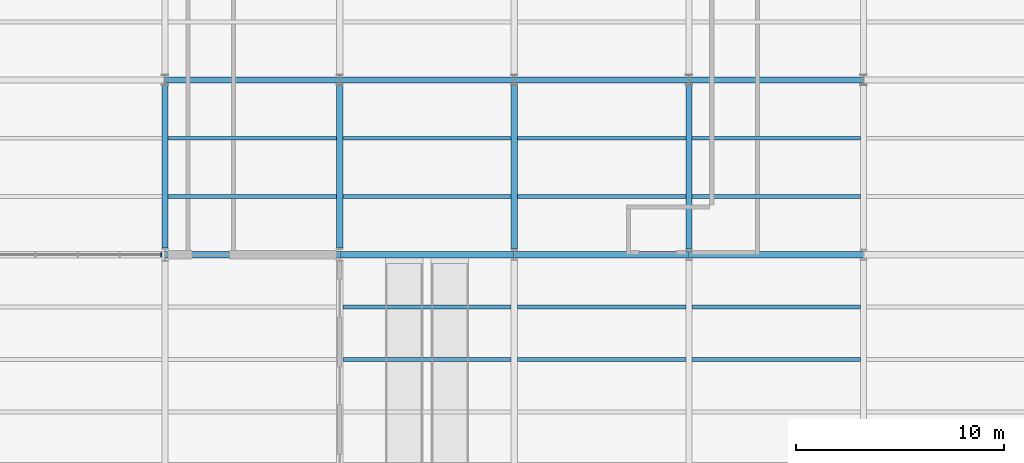
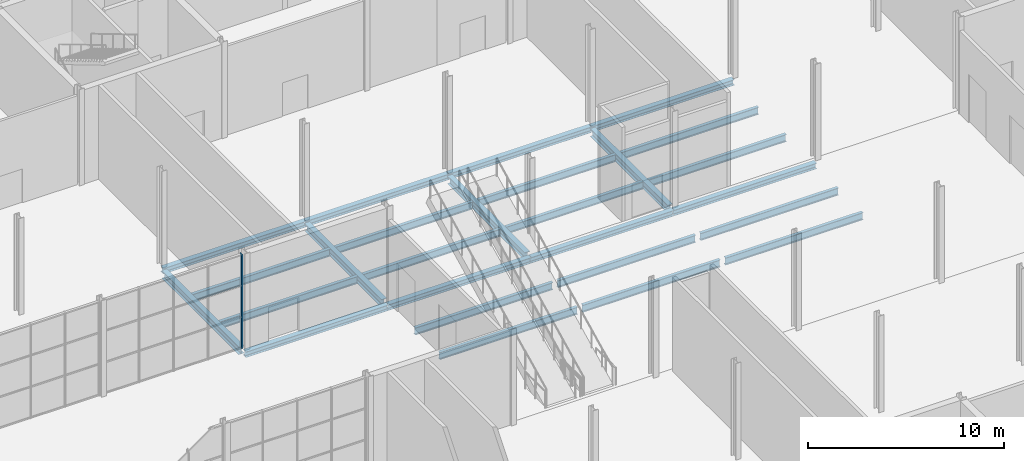
# One storey, part 18 of 55: 26 beams, 1 member, 1 element without a shape of its own.
"""IFC4 building model written with IfcOpenShell, lengths in metres."""

from ifc_helpers import new_model, si_unit, direction, frame, origin, origin_2d, place, context, subcontext, project, spatial, rectangle, i_section, extrude, material, layer, layer_set, material_profile, profile_set, type_object, element, aggregate, save


model = new_model("IFC4")

# Units and contexts
model_context = context("Model", 3, precision=1e-05, world=origin(), true_north=direction((0.0, 1.0)))
body_context = subcontext(model_context, "Body", "Model", "MODEL_VIEW")
ifc_project = project(units=[si_unit("LENGTHUNIT", "METRE"), si_unit("AREAUNIT", "SQUARE_METRE"), si_unit("VOLUMEUNIT", "CUBIC_METRE"), si_unit("PLANEANGLEUNIT", "RADIAN"), si_unit("MASSUNIT", "GRAM", prefix="KILO")], contexts=[model_context])

# Site, building, storey
site_placement = place(None, origin())
site = spatial("IfcSite", under=ifc_project, at=site_placement, CompositionType="ELEMENT")
building_placement = place(site_placement, origin())
building = spatial("IfcBuilding", under=site, at=building_placement, Name="Galleria Vessillo Department Store", CompositionType="ELEMENT")
storey_placement = place(building_placement, origin())
storey = spatial("IfcBuildingStorey", under=building, at=storey_placement, Name="L00", CompositionType="ELEMENT", Elevation=0.0)

# Curtain wall, member
ifc_material_1 = material(Name="Aluminium and glass curtain wall", Category="aluminium")
ifc_layer = layer(ifc_material_1, 0.199951171875)
ifc_layer_set = layer_set([ifc_layer], Name="Aluminium and glass curtain wall")
curtain_wall_type = type_object("IfcCurtainWallType", Name="Arcade curtain wall CW1 2100 module", PredefinedType="NOTDEFINED", material=ifc_layer_set)
curtain_wall_placement = place(storey_placement, origin())
curtain_wall = element("IfcCurtainWall", 1, at=curtain_wall_placement, inside=storey, type_object=curtain_wall_type, Name="Arcade curtain wall CW1 2100 module AI-AW-N-L00-02", PredefinedType="NOTDEFINED")
ifc_material_2 = material(Name="Aluminium alloy 6063 T6", Category="aluminium")
ifc_material_profile_1 = material_profile(ifc_material_2, rectangle(XDim=0.199951171875, YDim=0.06005859375, at=origin_2d()), Name="AL 60x200")
ifc_profile_set_1 = profile_set([ifc_material_profile_1], Name="Aluminium alloy 6063 T6")
member_type = type_object("IfcMemberType", Name="Aluminium mullion 60 x 200", PredefinedType="MULLION", material=ifc_profile_set_1)
member_placement = place(storey_placement, frame((33.41748046875, 37.800048828125, 0.0), z_axis=(0.0, 0.0, 1.0), x_axis=(0.0, 1.0, 0.0)))
member = element("IfcMember", 2, at=member_placement, type_object=member_type, Name="CW1 mullion 5", PredefinedType="MULLION", context=body_context, shape_type="SweptSolid", body=[
    extrude(rectangle(XDim=0.199951171875, YDim=0.06005859375, at=origin_2d()), origin(), (0.0, 0.0, 1.0), 5.85009765625),
])
aggregate(curtain_wall, [member])

# Beams
ifc_material_3 = material(Name="Steel S355 J2", Category="steel")
ifc_material_profile_2 = material_profile(ifc_material_3, i_section(OverallWidth=0.300048828125, OverallDepth=0.489990234375, WebThickness=0.011962890625, FlangeThickness=0.02294921875, FilletRadius=0.027099609375, at=origin_2d()), Name="HEA 500")
ifc_profile_set_2 = profile_set([ifc_material_profile_2], Name="Steel S355 J2")
beam_type_1 = type_object("IfcBeamType", Name="Floor girder HEA 500", PredefinedType="BEAM", material=ifc_profile_set_2)
for number, where, z_axis, x_axis, name in (
    (3, (33.60009765625, 38.110107421875, -0.39501953125), (0.0, 1.0, 0.0), (-1.0, 0.0, 0.0), "S-BM-L00-GI-y33600-38110"),
    (4, (42.0, 38.110107421875, -0.39501953125), (0.0, 1.0, 0.0), (-1.0, 0.0, 0.0), "S-BM-L00-GI-y42000-38110"),
):
    element("IfcBeam", number, at=place(storey_placement, frame(where, z_axis=z_axis, x_axis=x_axis)), inside=storey, type_object=beam_type_1, Name=name, PredefinedType="BEAM", context=body_context, shape_type="SweptSolid", body=[
        extrude(i_section(OverallWidth=0.300048828125, OverallDepth=0.489990234375, WebThickness=0.011962890625, FlangeThickness=0.02294921875, FilletRadius=0.027099609375, at=origin_2d()), origin(), (0.0, 0.0, 1.0), 7.83984375),
    ])
for number, where, z_axis, x_axis, name in (
    (5, (50.39990234375, 38.06201171875, -0.39501953125), (0.0, 1.0, 0.0), (-1.0, 0.0, 0.0), "S-BM-L00-GI-y50400-38062"),
    (6, (58.800048828125, 38.06201171875, -0.39501953125), (0.0, 1.0, 0.0), (-1.0, 0.0, 0.0), "S-BM-L00-GI-y58800-38062"),
):
    element("IfcBeam", number, at=place(storey_placement, frame(where, z_axis=z_axis, x_axis=x_axis)), inside=storey, type_object=beam_type_1, Name=name, PredefinedType="BEAM", context=body_context, shape_type="SweptSolid", body=[
        extrude(i_section(OverallWidth=0.300048828125, OverallDepth=0.489990234375, WebThickness=0.011962890625, FlangeThickness=0.02294921875, FilletRadius=0.027099609375, at=origin_2d()), origin(), (0.0, 0.0, 1.0), 7.887939453125),
    ])
ifc_material_4 = material(Name="Steel S355 J2", Category="steel")
ifc_material_profile_3 = material_profile(ifc_material_4, i_section(OverallWidth=0.18994140625, OverallDepth=0.449951171875, WebThickness=0.009521484375, FlangeThickness=0.0146484375, FilletRadius=0.02099609375, at=origin_2d()), Name="IPE 450")
ifc_profile_set_3 = profile_set([ifc_material_profile_3], Name="Steel S355 J2")
beam_type_2 = type_object("IfcBeamType", Name="Floor joist IPE 450", PredefinedType="JOIST", material=ifc_profile_set_3)
for number, where, z_axis, x_axis, name in (
    (7, (33.750244140625, 40.60009765625, -0.375), (1.0, 0.0, 0.0), (0.0, 1.0, 0.0), "S-BM-L00-JO-x40600-33750"),
    (8, (33.750244140625, 43.39990234375, -0.375), (1.0, 0.0, 0.0), (0.0, 1.0, 0.0), "S-BM-L00-JO-x43400-33750"),
    (9, (42.150146484375, 32.760009765625, -0.47509765625), (1.0, 0.0, 0.0), (0.0, 1.0, 0.0), "S-BM-L00-JO-x32760-42150"),
    (10, (42.150146484375, 35.280029296875, -0.47509765625), (1.0, 0.0, 0.0), (0.0, 1.0, 0.0), "S-BM-L00-JO-x35280-42150"),
    (11, (42.150146484375, 40.60009765625, -0.375), (1.0, 0.0, 0.0), (0.0, 1.0, 0.0), "S-BM-L00-JO-x40600-42150"),
    (12, (42.150146484375, 43.39990234375, -0.375), (1.0, 0.0, 0.0), (0.0, 1.0, 0.0), "S-BM-L00-JO-x43400-42150"),
):
    element("IfcBeam", number, at=place(storey_placement, frame(where, z_axis=z_axis, x_axis=x_axis)), inside=storey, type_object=beam_type_2, Name=name, PredefinedType="JOIST", context=body_context, shape_type="SweptSolid", body=[
        extrude(i_section(OverallWidth=0.18994140625, OverallDepth=0.449951171875, WebThickness=0.009521484375, FlangeThickness=0.0146484375, FilletRadius=0.02099609375, at=origin_2d()), origin(), (0.0, 0.0, 1.0), 8.099609375),
    ])
for number, where, z_axis, x_axis, name in (
    (13, (50.550048828125, 32.760009765625, -0.47509765625), (1.0, 0.0, 0.0), (0.0, 1.0, 0.0), "S-BM-L00-JO-x32760-50550"),
    (14, (50.550048828125, 35.280029296875, -0.47509765625), (1.0, 0.0, 0.0), (0.0, 1.0, 0.0), "S-BM-L00-JO-x35280-50550"),
    (15, (50.550048828125, 40.60009765625, -0.375), (1.0, 0.0, 0.0), (0.0, 1.0, 0.0), "S-BM-L00-JO-x40600-50550"),
    (16, (50.550048828125, 43.39990234375, -0.375), (1.0, 0.0, 0.0), (0.0, 1.0, 0.0), "S-BM-L00-JO-x43400-50550"),
):
    element("IfcBeam", number, at=place(storey_placement, frame(where, z_axis=z_axis, x_axis=x_axis)), inside=storey, type_object=beam_type_2, Name=name, PredefinedType="JOIST", context=body_context, shape_type="SweptSolid", body=[
        extrude(i_section(OverallWidth=0.18994140625, OverallDepth=0.449951171875, WebThickness=0.009521484375, FlangeThickness=0.0146484375, FilletRadius=0.02099609375, at=origin_2d()), origin(), (0.0, 0.0, 1.0), 8.099853515625),
    ])
for number, where, z_axis, x_axis, name in (
    (17, (58.9501953125, 32.760009765625, -0.47509765625), (1.0, 0.0, 0.0), (0.0, 1.0, 0.0), "S-BM-L00-JO-x32760-58950"),
    (18, (58.9501953125, 35.280029296875, -0.47509765625), (1.0, 0.0, 0.0), (0.0, 1.0, 0.0), "S-BM-L00-JO-x35280-58950"),
    (19, (58.9501953125, 40.60009765625, -0.375), (1.0, 0.0, 0.0), (0.0, 1.0, 0.0), "S-BM-L00-JO-x40600-58950"),
    (20, (58.9501953125, 43.39990234375, -0.375), (1.0, 0.0, 0.0), (0.0, 1.0, 0.0), "S-BM-L00-JO-x43400-58950"),
):
    element("IfcBeam", number, at=place(storey_placement, frame(where, z_axis=z_axis, x_axis=x_axis)), inside=storey, type_object=beam_type_2, Name=name, PredefinedType="JOIST", context=body_context, shape_type="SweptSolid", body=[
        extrude(i_section(OverallWidth=0.18994140625, OverallDepth=0.449951171875, WebThickness=0.009521484375, FlangeThickness=0.0146484375, FilletRadius=0.02099609375, at=origin_2d()), origin(), (0.0, 0.0, 1.0), 8.099609375),
    ])
ifc_material_5 = material(Name="Steel S355 J2", Category="steel")
ifc_material_profile_4 = material_profile(ifc_material_5, i_section(OverallWidth=0.300048828125, OverallDepth=0.35009765625, WebThickness=0.010009765625, FlangeThickness=0.017578125, FilletRadius=0.027099609375, at=origin_2d()), Name="HEA 360")
ifc_profile_set_4 = profile_set([ifc_material_profile_4], Name="Steel S355 J2")
beam_type_3 = type_object("IfcBeamType", Name="Floor tie girder HEA 360", PredefinedType="BEAM", material=ifc_profile_set_4)
for number, where, z_axis, x_axis, name in (
    (21, (33.610595703125, 37.800048828125, -0.425048828125), (1.0, 0.0, 0.0), (0.0, 1.0, 0.0), "S-BM-L00-TI-x37800-33611"),
    (22, (42.0107421875, 37.800048828125, -0.425048828125), (1.0, 0.0, 0.0), (0.0, 1.0, 0.0), "S-BM-L00-TI-x37800-42011"),
    (23, (50.41064453125, 37.800048828125, -0.425048828125), (1.0, 0.0, 0.0), (0.0, 1.0, 0.0), "S-BM-L00-TI-x37800-50411"),
):
    element("IfcBeam", number, at=place(storey_placement, frame(where, z_axis=z_axis, x_axis=x_axis)), inside=storey, type_object=beam_type_3, Name=name, PredefinedType="BEAM", context=body_context, shape_type="SweptSolid", body=[
        extrude(i_section(OverallWidth=0.300048828125, OverallDepth=0.35009765625, WebThickness=0.010009765625, FlangeThickness=0.017578125, FilletRadius=0.027099609375, at=origin_2d()), origin(), (0.0, 0.0, 1.0), 8.378662109375),
    ])
beam_placement = place(storey_placement, frame((58.810546875, 37.800048828125, -0.425048828125), z_axis=(1.0, 0.0, 0.0), x_axis=(0.0, 1.0, 0.0)))
element("IfcBeam", 24, at=beam_placement, inside=storey, type_object=beam_type_3, Name="S-BM-L00-TI-x37800-58811", PredefinedType="BEAM", context=body_context, shape_type="SweptSolid", body=[
    extrude(i_section(OverallWidth=0.300048828125, OverallDepth=0.35009765625, WebThickness=0.010009765625, FlangeThickness=0.017578125, FilletRadius=0.027099609375, at=origin_2d()), origin(), (0.0, 0.0, 1.0), 8.37890625),
])
for number, where, z_axis, x_axis, name in (
    (25, (33.607421875, 46.199951171875, -0.324951171875), (1.0, 0.0, 0.0), (0.0, 1.0, 0.0), "S-BM-L00-TI-x46200-33607"),
    (26, (42.00732421875, 46.199951171875, -0.324951171875), (1.0, 0.0, 0.0), (0.0, 1.0, 0.0), "S-BM-L00-TI-x46200-42007"),
    (27, (50.407470703125, 46.199951171875, -0.324951171875), (1.0, 0.0, 0.0), (0.0, 1.0, 0.0), "S-BM-L00-TI-x46200-50407"),
    (28, (58.807373046875, 46.199951171875, -0.324951171875), (1.0, 0.0, 0.0), (0.0, 1.0, 0.0), "S-BM-L00-TI-x46200-58807"),
):
    element("IfcBeam", number, at=place(storey_placement, frame(where, z_axis=z_axis, x_axis=x_axis)), inside=storey, type_object=beam_type_3, Name=name, PredefinedType="BEAM", context=body_context, shape_type="SweptSolid", body=[
        extrude(i_section(OverallWidth=0.300048828125, OverallDepth=0.35009765625, WebThickness=0.010009765625, FlangeThickness=0.017578125, FilletRadius=0.027099609375, at=origin_2d()), origin(), (0.0, 0.0, 1.0), 8.38525390625),
    ])

save(model, "model.ifc")
